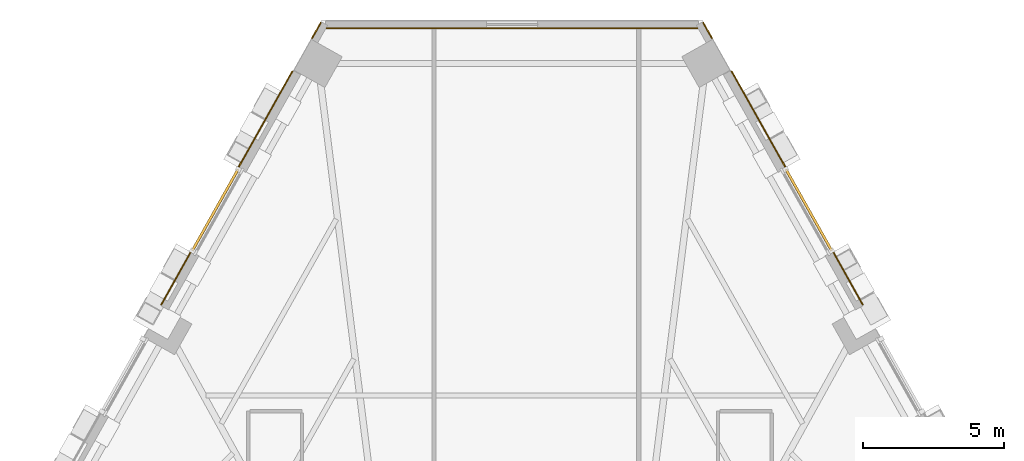
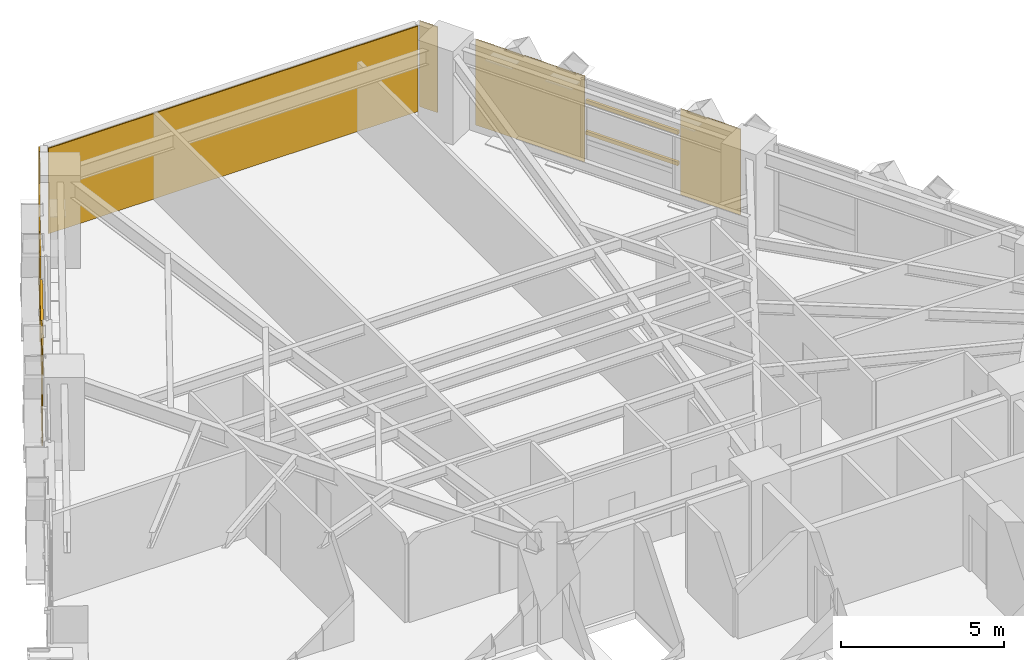
# One storey, part 13 of 13: 7 coverings, 4 shading devices.
"""IFC4 building model written with IfcOpenShell, lengths in metres."""

from ifc_helpers import new_model, si_unit, direction, frame, origin, origin_2d, place, context, subcontext, project, spatial, polyline, rectangle, outline, extrude, material, layer, layer_set, material_profile, profile_set, type_object, element, save


model = new_model("IFC4")

# Units and contexts
model_context = context("Model", 3, precision=1e-05, world=origin(), true_north=direction((0.0, 1.0)))
body_context = subcontext(model_context, "Body", "Model", "MODEL_VIEW")
ifc_project = project(units=[si_unit("LENGTHUNIT", "METRE"), si_unit("AREAUNIT", "SQUARE_METRE"), si_unit("VOLUMEUNIT", "CUBIC_METRE"), si_unit("PLANEANGLEUNIT", "RADIAN"), si_unit("MASSUNIT", "GRAM", prefix="KILO")], contexts=[model_context])

# Site, building, storey
site_placement = place(None, origin())
site = spatial("IfcSite", under=ifc_project, at=site_placement, CompositionType="ELEMENT")
building_placement = place(site_placement, origin())
building = spatial("IfcBuilding", under=site, at=building_placement, Name="Quenlor Broadcast Tower", CompositionType="ELEMENT")
storey_placement = place(building_placement, frame((0.0, 0.0, 62.60009765625)))
storey = spatial("IfcBuildingStorey", under=building, at=storey_placement, Name="L16", CompositionType="ELEMENT", Elevation=62.60009765625)

# Shading devices
ifc_material_1 = material(Name="Architectural Terracotta Ceramic", Category="masonry")
ifc_material_profile = material_profile(ifc_material_1, rectangle(XDim=0.090087890625, YDim=0.139892578125, at=origin_2d()))
ifc_profile_set = profile_set([ifc_material_profile], Name="Architectural Terracotta Ceramic BAG90x140")
shading_device_type = type_object("IfcShadingDeviceType", Name="Copper Terracotta Baguette Solar Screen 140", PredefinedType="USERDEFINED", material=ifc_profile_set)
for number, where, z_axis, x_axis, name in (
    (1, (9.680908203125, 16.15478515625, 1.169921875), (0.490233146241, -0.871591339061, 0.0), (0.871591339061, 0.490233146241, 0.0), "L16 Terracotta Baguette Screen 1"),
    (2, (9.680908203125, 16.15478515625, 2.33984375), (0.490233146241, -0.871591339061, 0.0), (0.871591339061, 0.490233146241, 0.0), "L16 Terracotta Baguette Screen 2"),
    (3, (-11.299072265625, 13.27783203125, 1.169921875), (0.490233146241, 0.871591339061, 0.0), (-0.871591339061, 0.490233146241, 0.0), "L16 Terracotta Baguette Screen 1"),
    (4, (-11.299072265625, 13.27783203125, 2.33984375), (0.490233146241, 0.871591339061, 0.0), (-0.871591339061, 0.490233146241, 0.0), "L16 Terracotta Baguette Screen 2"),
):
    element("IfcShadingDevice", number, at=place(storey_placement, frame(where, z_axis=z_axis, x_axis=x_axis)), inside=storey, type_object=shading_device_type, Name=name, ObjectType="BAGUETTE", PredefinedType="USERDEFINED", context=body_context, shape_type="SweptSolid", body=[
        extrude(rectangle(XDim=0.090087890625, YDim=0.139892578125, at=origin_2d()), origin(), (0.0, 0.0, 1.0), 3.30078125),
    ])

# Coverings
ifc_material_2 = material(Name="Architectural Terracotta Ceramic", Category="masonry")
ifc_layer = layer(ifc_material_2, 0.044921875)
ifc_layer_set = layer_set([ifc_layer], Name="Fluted Terracotta Rainscreen Cladding Panel")
covering_type = type_object("IfcCoveringType", Name="Fluted Terracotta Rainscreen Cladding Panel", PredefinedType="CLADDING", material=ifc_layer_set)
covering_1_placement = place(storey_placement, frame((0.0, 0.0, 0.02001953125)))
element("IfcCovering", 5, at=covering_1_placement, inside=storey, type_object=covering_type, Name="L16 Terracotta Rainscreen Cladding L16-SHD-NES0", PredefinedType="CLADDING", context=body_context, shape_type="SweptSolid", body=[
    extrude(outline(polyline([(6.734130859375, 21.330078125), (7.052001953125, 20.76513671875), (7.09130859375, 20.787109375), (6.7734375, 21.35205078125), (6.734130859375, 21.330078125)])), origin(), (0.0, 0.0, 1.0), 3.2099609375),
])
covering_2_placement = place(storey_placement, frame((0.0, 0.0, 0.02001953125)))
element("IfcCovering", 6, at=covering_2_placement, inside=storey, type_object=covering_type, Name="L16 Terracotta Rainscreen Cladding L16-NEA-SP1", PredefinedType="CLADDING", context=body_context, shape_type="SweptSolid", body=[
    extrude(outline(polyline([(7.735107421875, 19.612060546875), (9.645751953125, 16.215576171875), (9.684814453125, 16.237548828125), (7.7744140625, 19.634033203125), (7.735107421875, 19.612060546875)])), origin(), (0.0, 0.0, 1.0), 3.2099609375),
])
covering_3_placement = place(storey_placement, frame((0.0, 0.0, 0.02001953125)))
element("IfcCovering", 7, at=covering_3_placement, inside=storey, type_object=covering_type, Name="L16 Terracotta Rainscreen Cladding L16-NEA-SP2", PredefinedType="CLADDING", context=body_context, shape_type="SweptSolid", body=[
    extrude(outline(polyline([(11.33251953125, 13.21630859375), (12.380615234375, 11.353515625), (12.419677734375, 11.37548828125), (11.371826171875, 13.23828125), (11.33251953125, 13.21630859375)])), origin(), (0.0, 0.0, 1.0), 3.2099609375),
])
covering_4_placement = place(storey_placement, frame((0.0, 0.0, 0.02001953125)))
element("IfcCovering", 8, at=covering_4_placement, inside=storey, type_object=covering_type, Name="L16 Terracotta Rainscreen Cladding L16-SHD-NWS1", PredefinedType="CLADDING", context=body_context, shape_type="SweptSolid", body=[
    extrude(outline(polyline([(-7.052001953125, 20.76513671875), (-6.734130859375, 21.330078125), (-6.7734375, 21.35205078125), (-7.09130859375, 20.787109375), (-7.052001953125, 20.76513671875)])), origin(), (0.0, 0.0, 1.0), 3.2099609375),
])
covering_5_placement = place(storey_placement, frame((0.0, 0.0, 0.02001953125)))
element("IfcCovering", 9, at=covering_5_placement, inside=storey, type_object=covering_type, Name="L16 Terracotta Rainscreen Cladding L16-NWC-SP1", PredefinedType="CLADDING", context=body_context, shape_type="SweptSolid", body=[
    extrude(outline(polyline([(-12.380615234375, 11.353515625), (-11.33251953125, 13.21630859375), (-11.371826171875, 13.23828125), (-12.419677734375, 11.37548828125), (-12.380615234375, 11.353515625)])), origin(), (0.0, 0.0, 1.0), 3.2099609375),
])
covering_6_placement = place(storey_placement, frame((0.0, 0.0, 0.02001953125)))
element("IfcCovering", 10, at=covering_6_placement, inside=storey, type_object=covering_type, Name="L16 Terracotta Rainscreen Cladding L16-NWC-SP2", PredefinedType="CLADDING", context=body_context, shape_type="SweptSolid", body=[
    extrude(outline(polyline([(-9.645751953125, 16.215576171875), (-7.735107421875, 19.612060546875), (-7.7744140625, 19.634033203125), (-9.684814453125, 16.237548828125), (-9.645751953125, 16.215576171875)])), origin(), (0.0, 0.0, 1.0), 3.2099609375),
])
covering_7_placement = place(storey_placement, frame((0.0, 0.0, 0.02001953125)))
element("IfcCovering", 11, at=covering_7_placement, inside=storey, type_object=covering_type, Name="L16 Terracotta Rainscreen Cladding L16-CNR-02", PredefinedType="CLADDING", context=body_context, shape_type="SweptSolid", body=[
    extrude(outline(polyline([(6.568359375, 21.159912109375), (-6.558349609375, 21.159912109375), (-6.558349609375, 21.114990234375), (6.568359375, 21.114990234375), (6.568359375, 21.159912109375)])), origin(), (0.0, 0.0, 1.0), 3.2099609375),
])

save(model, "model.ifc")
